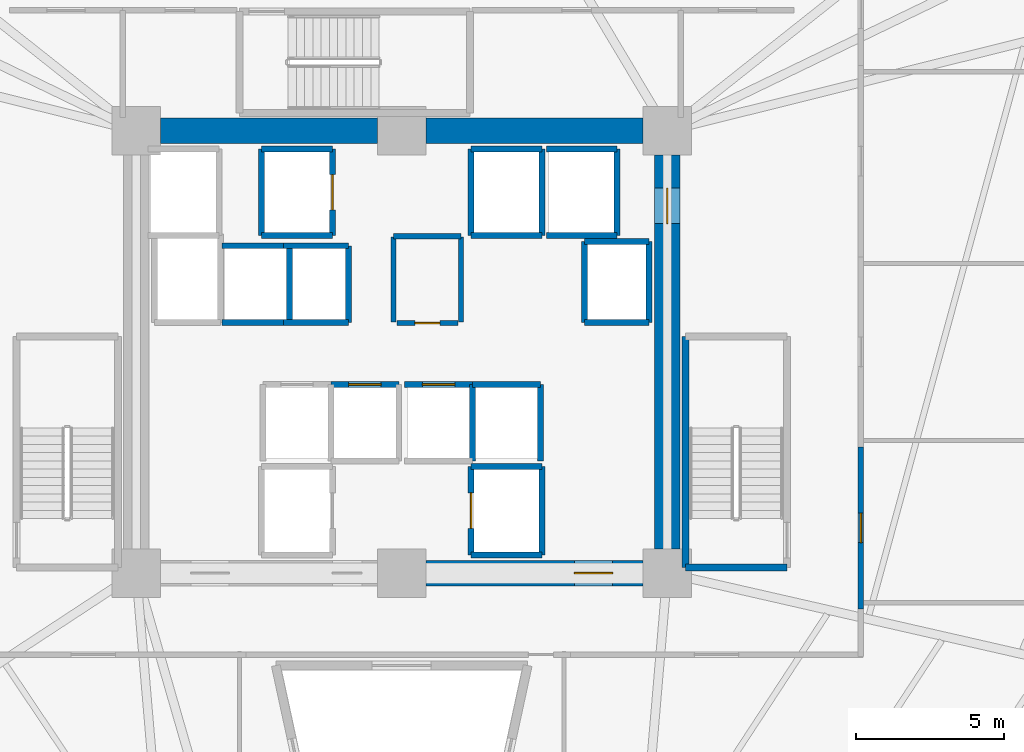
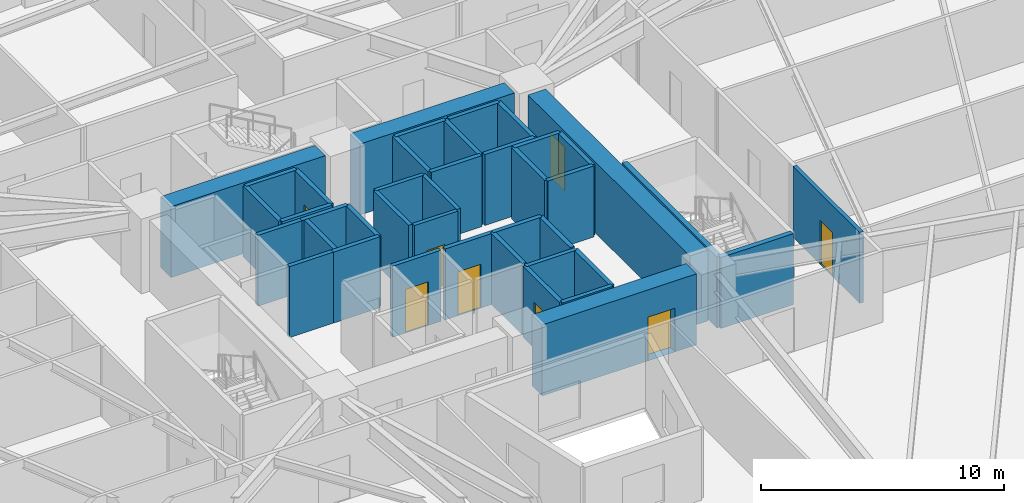
# One storey, part 5 of 8: 41 walls, 8 doors, 8 openings.
"""IFC4 building model written with IfcOpenShell, lengths in metres."""

from ifc_helpers import new_model, si_unit, direction, frame, frame_2d, origin, place, context, subcontext, project, spatial, rectangle, extrude, source, transform, mapped, material, layer, layer_set, type_object, element, fill, save


model = new_model("IFC4")

# Units and contexts
model_context = context("Model", 3, precision=1e-05, world=origin(), true_north=direction((0.0, 1.0)))
body_context = subcontext(model_context, "Body", "Model", "MODEL_VIEW")
ifc_project = project(units=[si_unit("LENGTHUNIT", "METRE"), si_unit("AREAUNIT", "SQUARE_METRE"), si_unit("VOLUMEUNIT", "CUBIC_METRE"), si_unit("PLANEANGLEUNIT", "RADIAN"), si_unit("MASSUNIT", "GRAM", prefix="KILO")], contexts=[model_context])

# Site, building, storey
site_placement = place(None, origin())
site = spatial("IfcSite", under=ifc_project, at=site_placement, CompositionType="ELEMENT")
building_placement = place(site_placement, origin())
building = spatial("IfcBuilding", under=site, at=building_placement, Name="Liaohun Quay Tower", CompositionType="ELEMENT")
storey_placement = place(building_placement, frame((0.0, 0.0, 78.0)))
storey = spatial("IfcBuildingStorey", under=building, at=storey_placement, Name="L20", CompositionType="ELEMENT", Elevation=78.0)

# Walls
ifc_material_1 = material(Name="Concrete C60", Category="concrete")
ifc_layer_1 = layer(ifc_material_1, 0.85009765625, Name="Concrete C60", Category="concrete")
ifc_layer_set_1 = layer_set([ifc_layer_1], Name="Concrete C60")
wall_type_1 = type_object("IfcWallType", Name="WAL-COR-Z1", PredefinedType="SHEAR", material=ifc_layer_set_1)
for number, where, z_axis, x_axis, name in (
    (1, (51.824951171875, 61.5, 0.0), (0.0, 0.0, 1.0), (1.0, 0.0, 0.0), "L20 Central Core Shear Wall N-W"),
    (2, (60.824951171875, 61.5, 0.0), (0.0, 0.0, 1.0), (1.0, 0.0, 0.0), "L20 Central Core Shear Wall N-E"),
):
    element("IfcWall", number, at=place(storey_placement, frame(where, z_axis=z_axis, x_axis=x_axis)), inside=storey, type_object=wall_type_1, Name=name, PredefinedType="SHEAR", context=body_context, shape_type="SweptSolid", body=[
        extrude(rectangle(XDim=7.35009765625, YDim=0.85009765625, at=frame_2d((3.675048828125, 0.0))), origin(), (0.0, 0.0, 1.0), 3.570068359375),
    ])

# Wall, opening, door
wall_1_placement = place(storey_placement, frame((69.0, 60.675048828125, 0.0), z_axis=(0.0, 0.0, 1.0), x_axis=(0.0, -1.0, 0.0)))
wall_1 = element("IfcWall", 3, at=wall_1_placement, inside=storey, type_object=wall_type_1, Name="L20 Central Core Shear Wall E", PredefinedType="SHEAR", context=body_context, shape_type="SweptSolid", body=[
    extrude(rectangle(XDim=13.35009765625, YDim=0.85009765625, at=frame_2d((6.675048828125, 0.0))), origin(), (0.0, 0.0, 1.0), 3.570068359375),
])
shared_shape_1 = source(origin(), body_context, "Body", "SweptSolid", [
    extrude(rectangle(XDim=1.199951171875, YDim=2.199951171875, at=frame_2d((0.60009765625, 1.10009765625))), frame((0.0, 0.43505859375, 0.0), z_axis=(0.0, -1.0, 0.0), x_axis=(1.0, 0.0, 0.0)), (0.0, 0.0, 1.0), 0.8701171875),
])
opening_1_placement = place(wall_1_placement, frame((1.125, 0.0, 0.0)))
opening_1 = element("IfcOpeningElement", 4, at=opening_1_placement, cuts=wall_1, Name="Opening SD1", PredefinedType="OPENING", context=body_context, shape_type="MappedRepresentation", body=[
    mapped(shared_shape_1, transform((0.0, 0.0, 0.0), x_axis=(1.0, 0.0, 0.0), y_axis=(0.0, 1.0, 0.0), z_axis=(0.0, 0.0, 1.0), scale=1.0)),
])
ifc_material_2 = material(Name="Galvanised steel fire door", Category="steel")
door_type_1 = type_object("IfcDoorType", Name="DOR-STR-1200", OperationType="NOTDEFINED", PredefinedType="DOOR", material=ifc_material_2)
shared_shape_2 = source(origin(), body_context, "Body", "SweptSolid", [
    extrude(rectangle(XDim=1.199951171875, YDim=2.199951171875, at=frame_2d((0.60009765625, 1.10009765625))), frame((0.0, 0.02490234375, 0.0), z_axis=(0.0, -1.0, 0.0), x_axis=(1.0, 0.0, 0.0)), (0.0, 0.0, 1.0), 0.050048828125),
])
door_1_placement = place(opening_1_placement, origin())
door_1 = element("IfcDoor", 5, at=door_1_placement, inside=storey, type_object=door_type_1, Name="L20 North-East Core Lobby Smokeproof Door", OperationType="SINGLE_SWING_LEFT", OverallHeight=2.199951171875, OverallWidth=1.199951171875, PredefinedType="DOOR", context=body_context, shape_type="MappedRepresentation", body=[
    mapped(shared_shape_2, transform((0.0, 0.0, 0.0), x_axis=(1.0, 0.0, 0.0), y_axis=(0.0, 1.0, 0.0), z_axis=(0.0, 0.0, 1.0), scale=1.0)),
])
fill(opening_1, door_1)

wall_2_placement = place(storey_placement, frame((68.175048828125, 46.5, 0.0), z_axis=(0.0, 0.0, 1.0), x_axis=(-1.0, 0.0, 0.0)))
wall_2 = element("IfcWall", 6, at=wall_2_placement, inside=storey, type_object=wall_type_1, Name="L20 Central Core Shear Wall S-E", PredefinedType="SHEAR", context=body_context, shape_type="SweptSolid", body=[
    extrude(rectangle(XDim=7.35009765625, YDim=0.85009765625, at=frame_2d((3.675048828125, 0.0))), origin(), (0.0, 0.0, 1.0), 3.570068359375),
])
shared_shape_3 = source(origin(), body_context, "Body", "SweptSolid", [
    extrude(rectangle(XDim=1.300048828125, YDim=2.199951171875, at=frame_2d((0.64990234375, 1.10009765625))), frame((0.0, 0.43505859375, 0.0), z_axis=(0.0, -1.0, 0.0), x_axis=(1.0, 0.0, 0.0)), (0.0, 0.0, 1.0), 0.8701171875),
])
opening_2_placement = place(wall_2_placement, frame((1.02490234375, 0.0, 0.0)))
opening_2 = element("IfcOpeningElement", 7, at=opening_2_placement, cuts=wall_2, Name="Opening FD1", PredefinedType="OPENING", context=body_context, shape_type="MappedRepresentation", body=[
    mapped(shared_shape_3, transform((0.0, 0.0, 0.0), x_axis=(1.0, 0.0, 0.0), y_axis=(0.0, 1.0, 0.0), z_axis=(0.0, 0.0, 1.0), scale=1.0)),
])
ifc_material_3 = material(Name="Galvanised steel smokeproof fire door", Category="steel")
door_type_2 = type_object("IfcDoorType", Name="DOR-FFL-1300", OperationType="NOTDEFINED", PredefinedType="DOOR", material=ifc_material_3)
shared_shape_4 = source(origin(), body_context, "Body", "SweptSolid", [
    extrude(rectangle(XDim=1.300048828125, YDim=2.199951171875, at=frame_2d((0.64990234375, 1.10009765625))), frame((0.0, 0.02490234375, 0.0), z_axis=(0.0, -1.0, 0.0), x_axis=(1.0, 0.0, 0.0)), (0.0, 0.0, 1.0), 0.050048828125),
])
door_2_placement = place(opening_2_placement, origin())
door_2 = element("IfcDoor", 8, at=door_2_placement, inside=storey, type_object=door_type_2, Name="L20 East Core Lift Lobby Smokeproof Door", OperationType="SINGLE_SWING_LEFT", OverallHeight=2.199951171875, OverallWidth=1.300048828125, PredefinedType="DOOR", context=body_context, shape_type="MappedRepresentation", body=[
    mapped(shared_shape_4, transform((0.0, 0.0, 0.0), x_axis=(1.0, 0.0, 0.0), y_axis=(0.0, 1.0, 0.0), z_axis=(0.0, 0.0, 1.0), scale=1.0)),
])
fill(opening_2, door_2)

ifc_material_4 = material(Name="Autoclaved aerated concrete blockwork", Category="masonry")
ifc_layer_2 = layer(ifc_material_4, 0.179931640625, Name="Autoclaved aerated concrete blockwork", Category="masonry")
ifc_layer_set_2 = layer_set([ifc_layer_2], Name="Autoclaved aerated concrete blockwork")
wall_type_2 = type_object("IfcWallType", Name="WAL-PRT-COR", PredefinedType="PARTITIONING", material=ifc_layer_set_2)
wall_3_placement = place(storey_placement, frame((59.840087890625, 54.97998046875, 0.0), z_axis=(0.0, 0.0, 1.0), x_axis=(1.0, 0.0, 0.0)))
wall_3 = element("IfcWall", 9, at=wall_3_placement, inside=storey, type_object=wall_type_2, Name="L20 Interior Partition Wall 001", PredefinedType="PARTITIONING", context=body_context, shape_type="SweptSolid", body=[
    extrude(rectangle(XDim=2.059814453125, YDim=0.179931640625, at=frame_2d((1.02978515625, 0.0))), origin(), (0.0, 0.0, 1.0), 3.570068359375),
])
shared_shape_5 = source(origin(), body_context, "Body", "SweptSolid", [
    extrude(rectangle(XDim=0.85009765625, YDim=2.10009765625, at=frame_2d((0.425048828125, 1.050048828125))), frame((0.0, 0.099853515625, 0.0), z_axis=(0.0, -1.0, 0.0), x_axis=(1.0, 0.0, 0.0)), (0.0, 0.0, 1.0), 0.199951171875),
])
opening_3_placement = place(wall_3_placement, frame((0.60498046875, 0.0, 0.0)))
opening_3 = element("IfcOpeningElement", 10, at=opening_3_placement, cuts=wall_3, Name="Opening AD1", PredefinedType="OPENING", context=body_context, shape_type="MappedRepresentation", body=[
    mapped(shared_shape_5, transform((0.0, 0.0, 0.0), x_axis=(1.0, 0.0, 0.0), y_axis=(0.0, 1.0, 0.0), z_axis=(0.0, 0.0, 1.0), scale=1.0)),
])
ifc_material_5 = material(Name="Steel riser inspection fire door", Category="steel")
door_type_3 = type_object("IfcDoorType", Name="DOR-SHF-850", OperationType="NOTDEFINED", PredefinedType="DOOR", material=ifc_material_5)
shared_shape_6 = source(origin(), body_context, "Body", "SweptSolid", [
    extrude(rectangle(XDim=0.85009765625, YDim=2.10009765625, at=frame_2d((0.425048828125, 1.050048828125))), frame((0.0, 0.02490234375, 0.0), z_axis=(0.0, -1.0, 0.0), x_axis=(1.0, 0.0, 0.0)), (0.0, 0.0, 1.0), 0.050048828125),
])
door_3_placement = place(opening_3_placement, origin())
door_3 = element("IfcDoor", 11, at=door_3_placement, inside=storey, type_object=door_type_3, Name="L20 Core Electrical and Telecom Riser Room Door", OperationType="SINGLE_SWING_LEFT", OverallHeight=2.10009765625, OverallWidth=0.85009765625, PredefinedType="DOOR", context=body_context, shape_type="MappedRepresentation", body=[
    mapped(shared_shape_6, transform((0.0, 0.0, 0.0), x_axis=(1.0, 0.0, 0.0), y_axis=(0.0, 1.0, 0.0), z_axis=(0.0, 0.0, 1.0), scale=1.0)),
])
fill(opening_3, door_3)

wall_4_placement = place(storey_placement, frame((75.56005859375, 50.784912109375, 0.0), z_axis=(0.0, 0.0, 1.0), x_axis=(0.0, -1.0, 0.0)))
wall_4 = element("IfcWall", 12, at=wall_4_placement, inside=storey, type_object=wall_type_2, Name="L20 Interior Partition Wall 022", PredefinedType="PARTITIONING", context=body_context, shape_type="SweptSolid", body=[
    extrude(rectangle(XDim=5.5, YDim=0.179931640625, at=frame_2d((2.75, 0.0))), origin(), (0.0, 0.0, 1.0), 3.570068359375),
])
shared_shape_7 = source(origin(), body_context, "Body", "SweptSolid", [
    extrude(rectangle(XDim=1.0, YDim=2.199951171875, at=frame_2d((0.5, 1.10009765625))), frame((0.0, 0.099853515625, 0.0), z_axis=(0.0, -1.0, 0.0), x_axis=(1.0, 0.0, 0.0)), (0.0, 0.0, 1.0), 0.199951171875),
])
opening_4_placement = place(wall_4_placement, frame((2.25, 0.0, 0.0)))
opening_4 = element("IfcOpeningElement", 13, at=opening_4_placement, cuts=wall_4, Name="Opening OD1", PredefinedType="OPENING", context=body_context, shape_type="MappedRepresentation", body=[
    mapped(shared_shape_7, transform((0.0, 0.0, 0.0), x_axis=(1.0, 0.0, 0.0), y_axis=(0.0, 1.0, 0.0), z_axis=(0.0, 0.0, 1.0), scale=1.0)),
])
ifc_material_6 = material(Name="Solid-core oak veneer timber leaf in steel frame", Category="steel")
door_type_4 = type_object("IfcDoorType", Name="DOR-OFF-1000", OperationType="NOTDEFINED", PredefinedType="DOOR", material=ifc_material_6)
shared_shape_8 = source(origin(), body_context, "Body", "SweptSolid", [
    extrude(rectangle(XDim=1.0, YDim=2.199951171875, at=frame_2d((0.5, 1.10009765625))), frame((0.0, 0.02490234375, 0.0), z_axis=(0.0, -1.0, 0.0), x_axis=(1.0, 0.0, 0.0)), (0.0, 0.0, 1.0), 0.050048828125),
])
door_4_placement = place(opening_4_placement, origin())
door_4 = element("IfcDoor", 14, at=door_4_placement, inside=storey, type_object=door_type_4, Name="L20 Project Operations Office 14 Door", OperationType="SINGLE_SWING_RIGHT", OverallHeight=2.199951171875, OverallWidth=1.0, PredefinedType="DOOR", context=body_context, shape_type="MappedRepresentation", body=[
    mapped(shared_shape_8, transform((0.0, 0.0, 0.0), x_axis=(1.0, 0.0, 0.0), y_axis=(0.0, 1.0, 0.0), z_axis=(0.0, 0.0, 1.0), scale=1.0)),
])
fill(opening_4, door_4)

# Walls
for number, where, z_axis, x_axis, name in (
    (15, (59.719970703125, 55.02001953125, 0.0), (0.0, 0.0, 1.0), (0.0, 1.0, 0.0), "L20 Interior Partition Wall 023"),
    (16, (62.010009765625, 55.02001953125, 0.0), (0.0, 0.0, 1.0), (0.0, 1.0, 0.0), "L20 Interior Partition Wall 024"),
):
    element("IfcWall", number, at=place(storey_placement, frame(where, z_axis=z_axis, x_axis=x_axis)), inside=storey, type_object=wall_type_2, Name=name, PredefinedType="PARTITIONING", context=body_context, shape_type="SweptSolid", body=[
        extrude(rectangle(XDim=2.8798828125, YDim=0.179931640625, at=frame_2d((1.43994140625, 0.0))), origin(), (0.0, 0.0, 1.0), 3.570068359375),
    ])
wall_5_placement = place(storey_placement, frame((59.719970703125, 57.919921875, 0.0), z_axis=(0.0, 0.0, 1.0), x_axis=(1.0, 0.0, 0.0)))
element("IfcWall", 17, at=wall_5_placement, inside=storey, type_object=wall_type_2, Name="L20 Interior Partition Wall 025", PredefinedType="PARTITIONING", context=body_context, shape_type="SweptSolid", body=[
    extrude(rectangle(XDim=2.2900390625, YDim=0.179931640625, at=frame_2d((1.14501953125, 0.0))), origin(), (0.0, 0.0, 1.0), 3.570068359375),
])
ifc_material_7 = material(Name="Concrete C50", Category="concrete")
ifc_layer_3 = layer(ifc_material_7, 0.239990234375, Name="Concrete C50", Category="concrete")
ifc_layer_set_3 = layer_set([ifc_layer_3], Name="Concrete C50")
wall_type_3 = type_object("IfcWallType", Name="WAL-SHF-200", PredefinedType="SOLIDWALL", material=ifc_layer_set_3)
wall_6_placement = place(storey_placement, frame((69.6201171875, 46.699951171875, 0.0), z_axis=(0.0, 0.0, 1.0), x_axis=(1.0, 0.0, 0.0)))
element("IfcWall", 18, at=wall_6_placement, inside=storey, type_object=wall_type_3, Name="L20 Stairwell ST-2 Structural Core Wall S", PredefinedType="SOLIDWALL", context=body_context, shape_type="SweptSolid", body=[
    extrude(rectangle(XDim=3.43994140625, YDim=0.239990234375, at=frame_2d((1.719970703125, 0.0))), origin(), (0.0, 0.0, 1.0), 3.570068359375),
])
wall_7_placement = place(storey_placement, frame((69.6201171875, 54.52001953125, 0.0), z_axis=(0.0, 0.0, 1.0), x_axis=(0.0, -1.0, 0.0)))
element("IfcWall", 19, at=wall_7_placement, inside=storey, type_object=wall_type_3, Name="L20 Stairwell ST-2 Structural Core Wall W", PredefinedType="SOLIDWALL", context=body_context, shape_type="SweptSolid", body=[
    extrude(rectangle(XDim=7.820068359375, YDim=0.239990234375, at=frame_2d((3.91015625, 0.0))), origin(), (0.0, 0.0, 1.0), 3.570068359375),
])
wall_8_placement = place(storey_placement, frame((62.35009765625, 47.1201171875, 0.0), z_axis=(0.0, 0.0, 1.0), x_axis=(1.0, 0.0, 0.0)))
element("IfcWall", 20, at=wall_8_placement, inside=storey, type_object=wall_type_3, Name="L20 Lift FF-02 Hoistway Wall S", PredefinedType="SOLIDWALL", context=body_context, shape_type="SweptSolid", body=[
    extrude(rectangle(XDim=2.39990234375, YDim=0.199951171875, at=frame_2d((1.199951171875, 0.0))), origin(), (0.0, 0.0, 1.0), 3.570068359375),
])
wall_9_placement = place(storey_placement, frame((64.75, 47.1201171875, 0.0), z_axis=(0.0, 0.0, 1.0), x_axis=(0.0, 1.0, 0.0)))
element("IfcWall", 21, at=wall_9_placement, inside=storey, type_object=wall_type_3, Name="L20 Lift FF-02 Hoistway Wall E", PredefinedType="SOLIDWALL", context=body_context, shape_type="SweptSolid", body=[
    extrude(rectangle(XDim=3.0, YDim=0.199951171875, at=frame_2d((1.5, 0.0))), origin(), (0.0, 0.0, 1.0), 3.570068359375),
])
wall_10_placement = place(storey_placement, frame((64.75, 50.1201171875, 0.0), z_axis=(0.0, 0.0, 1.0), x_axis=(-1.0, 0.0, 0.0)))
element("IfcWall", 22, at=wall_10_placement, inside=storey, type_object=wall_type_3, Name="L20 Lift FF-02 Hoistway Wall N", PredefinedType="SOLIDWALL", context=body_context, shape_type="SweptSolid", body=[
    extrude(rectangle(XDim=2.39990234375, YDim=0.199951171875, at=frame_2d((1.199951171875, 0.0))), origin(), (0.0, 0.0, 1.0), 3.570068359375),
])

# Wall, opening, door
wall_11_placement = place(storey_placement, frame((62.35009765625, 50.1201171875, 0.0), z_axis=(0.0, 0.0, 1.0), x_axis=(0.0, -1.0, 0.0)))
wall_11 = element("IfcWall", 23, at=wall_11_placement, inside=storey, type_object=wall_type_3, Name="L20 Lift FF-02 Hoistway Wall W", PredefinedType="SOLIDWALL", context=body_context, shape_type="SweptSolid", body=[
    extrude(rectangle(XDim=3.0, YDim=0.199951171875, at=frame_2d((1.5, 0.0))), origin(), (0.0, 0.0, 1.0), 3.570068359375),
])
shared_shape_9 = source(origin(), body_context, "Body", "SweptSolid", [
    extrude(rectangle(XDim=1.199951171875, YDim=2.300048828125, at=frame_2d((0.60009765625, 1.14990234375))), frame((0.0, 0.10986328125, 0.0), z_axis=(0.0, -1.0, 0.0), x_axis=(1.0, 0.0, 0.0)), (0.0, 0.0, 1.0), 0.219970703125),
])
opening_5_placement = place(wall_11_placement, frame((0.89990234375, 0.0, 0.0)))
opening_5 = element("IfcOpeningElement", 24, at=opening_5_placement, cuts=wall_11, Name="Opening LD2", PredefinedType="OPENING", context=body_context, shape_type="MappedRepresentation", body=[
    mapped(shared_shape_9, transform((0.0, 0.0, 0.0), x_axis=(1.0, 0.0, 0.0), y_axis=(0.0, 1.0, 0.0), z_axis=(0.0, 0.0, 1.0), scale=1.0)),
])
ifc_material_8 = material(Name="Brushed stainless steel stretcher landing door", Category="steel")
door_type_5 = type_object("IfcDoorType", Name="DOR-LFT-1200", OperationType="SLIDING_TO_LEFT", PredefinedType="DOOR", material=ifc_material_8)
shared_shape_10 = source(origin(), body_context, "Body", "SweptSolid", [
    extrude(rectangle(XDim=1.199951171875, YDim=2.300048828125, at=frame_2d((0.60009765625, 1.14990234375))), frame((0.0, 0.02490234375, 0.0), z_axis=(0.0, -1.0, 0.0), x_axis=(1.0, 0.0, 0.0)), (0.0, 0.0, 1.0), 0.050048828125),
])
door_5_placement = place(opening_5_placement, origin())
door_5 = element("IfcDoor", 25, at=door_5_placement, inside=storey, type_object=door_type_5, Name="L20 Lift FF-02 Sliding Landing Door", OperationType="SLIDING_TO_LEFT", OverallHeight=2.300048828125, OverallWidth=1.199951171875, PredefinedType="DOOR", context=body_context, shape_type="MappedRepresentation", body=[
    mapped(shared_shape_10, transform((0.0, 0.0, 0.0), x_axis=(1.0, 0.0, 0.0), y_axis=(0.0, 1.0, 0.0), z_axis=(0.0, 0.0, 1.0), scale=1.0)),
])
fill(opening_5, door_5)

# Wall
wall_12_placement = place(storey_placement, frame((55.25, 57.949951171875, 0.0), z_axis=(0.0, 0.0, 1.0), x_axis=(1.0, 0.0, 0.0)))
element("IfcWall", 26, at=wall_12_placement, inside=storey, type_object=wall_type_3, Name="L20 Lift FF-03 Hoistway Wall S", PredefinedType="SOLIDWALL", context=body_context, shape_type="SweptSolid", body=[
    extrude(rectangle(XDim=2.39990234375, YDim=0.199951171875, at=frame_2d((1.199951171875, 0.0))), origin(), (0.0, 0.0, 1.0), 3.570068359375),
])

# Wall, opening, door
wall_13_placement = place(storey_placement, frame((57.64990234375, 57.949951171875, 0.0), z_axis=(0.0, 0.0, 1.0), x_axis=(0.0, 1.0, 0.0)))
wall_13 = element("IfcWall", 27, at=wall_13_placement, inside=storey, type_object=wall_type_3, Name="L20 Lift FF-03 Hoistway Wall E", PredefinedType="SOLIDWALL", context=body_context, shape_type="SweptSolid", body=[
    extrude(rectangle(XDim=2.929931640625, YDim=0.199951171875, at=frame_2d((1.46484375, 0.0))), origin(), (0.0, 0.0, 1.0), 3.570068359375),
])
opening_6_placement = place(wall_13_placement, frame((0.864990234375, 0.0, 0.0)))
opening_6 = element("IfcOpeningElement", 28, at=opening_6_placement, cuts=wall_13, Name="Opening LD2", PredefinedType="OPENING", context=body_context, shape_type="MappedRepresentation", body=[
    mapped(shared_shape_9, transform((0.0, 0.0, 0.0), x_axis=(1.0, 0.0, 0.0), y_axis=(0.0, 1.0, 0.0), z_axis=(0.0, 0.0, 1.0), scale=1.0)),
])
door_6_placement = place(opening_6_placement, origin())
door_6 = element("IfcDoor", 29, at=door_6_placement, inside=storey, type_object=door_type_5, Name="L20 Lift FF-03 Sliding Landing Door", OperationType="SLIDING_TO_LEFT", OverallHeight=2.300048828125, OverallWidth=1.199951171875, PredefinedType="DOOR", context=body_context, shape_type="MappedRepresentation", body=[
    mapped(shared_shape_10, transform((0.0, 0.0, 0.0), x_axis=(1.0, 0.0, 0.0), y_axis=(0.0, 1.0, 0.0), z_axis=(0.0, 0.0, 1.0), scale=1.0)),
])
fill(opening_6, door_6)

# Walls
wall_14_placement = place(storey_placement, frame((57.64990234375, 60.8798828125, 0.0), z_axis=(0.0, 0.0, 1.0), x_axis=(-1.0, 0.0, 0.0)))
element("IfcWall", 30, at=wall_14_placement, inside=storey, type_object=wall_type_3, Name="L20 Lift FF-03 Hoistway Wall N", PredefinedType="SOLIDWALL", context=body_context, shape_type="SweptSolid", body=[
    extrude(rectangle(XDim=2.39990234375, YDim=0.199951171875, at=frame_2d((1.199951171875, 0.0))), origin(), (0.0, 0.0, 1.0), 3.570068359375),
])
wall_15_placement = place(storey_placement, frame((55.25, 60.8798828125, 0.0), z_axis=(0.0, 0.0, 1.0), x_axis=(0.0, -1.0, 0.0)))
element("IfcWall", 31, at=wall_15_placement, inside=storey, type_object=wall_type_3, Name="L20 Lift FF-03 Hoistway Wall W", PredefinedType="SOLIDWALL", context=body_context, shape_type="SweptSolid", body=[
    extrude(rectangle(XDim=2.929931640625, YDim=0.199951171875, at=frame_2d((1.46484375, 0.0))), origin(), (0.0, 0.0, 1.0), 3.570068359375),
])
wall_16_placement = place(storey_placement, frame((62.35009765625, 57.949951171875, 0.0), z_axis=(0.0, 0.0, 1.0), x_axis=(1.0, 0.0, 0.0)))
element("IfcWall", 32, at=wall_16_placement, inside=storey, type_object=wall_type_3, Name="L20 Lift OB-01 Hoistway Wall S", PredefinedType="SOLIDWALL", context=body_context, shape_type="SweptSolid", body=[
    extrude(rectangle(XDim=2.39990234375, YDim=0.199951171875, at=frame_2d((1.199951171875, 0.0))), origin(), (0.0, 0.0, 1.0), 3.570068359375),
])
wall_17_placement = place(storey_placement, frame((64.75, 57.949951171875, 0.0), z_axis=(0.0, 0.0, 1.0), x_axis=(0.0, 1.0, 0.0)))
element("IfcWall", 33, at=wall_17_placement, inside=storey, type_object=wall_type_3, Name="L20 Lift OB-01 Hoistway Wall E", PredefinedType="SOLIDWALL", context=body_context, shape_type="SweptSolid", body=[
    extrude(rectangle(XDim=2.929931640625, YDim=0.199951171875, at=frame_2d((1.46484375, 0.0))), origin(), (0.0, 0.0, 1.0), 3.570068359375),
])
wall_18_placement = place(storey_placement, frame((64.75, 60.8798828125, 0.0), z_axis=(0.0, 0.0, 1.0), x_axis=(-1.0, 0.0, 0.0)))
element("IfcWall", 34, at=wall_18_placement, inside=storey, type_object=wall_type_3, Name="L20 Lift OB-01 Hoistway Wall N", PredefinedType="SOLIDWALL", context=body_context, shape_type="SweptSolid", body=[
    extrude(rectangle(XDim=2.39990234375, YDim=0.199951171875, at=frame_2d((1.199951171875, 0.0))), origin(), (0.0, 0.0, 1.0), 3.570068359375),
])
wall_19_placement = place(storey_placement, frame((62.35009765625, 60.8798828125, 0.0), z_axis=(0.0, 0.0, 1.0), x_axis=(0.0, -1.0, 0.0)))
element("IfcWall", 35, at=wall_19_placement, inside=storey, type_object=wall_type_3, Name="L20 Lift OB-01 Hoistway Wall W", PredefinedType="SOLIDWALL", context=body_context, shape_type="SweptSolid", body=[
    extrude(rectangle(XDim=2.929931640625, YDim=0.199951171875, at=frame_2d((1.46484375, 0.0))), origin(), (0.0, 0.0, 1.0), 3.570068359375),
])
wall_20_placement = place(storey_placement, frame((64.89990234375, 57.949951171875, 0.0), z_axis=(0.0, 0.0, 1.0), x_axis=(1.0, 0.0, 0.0)))
element("IfcWall", 36, at=wall_20_placement, inside=storey, type_object=wall_type_3, Name="L20 Lift OB-02 Hoistway Wall S", PredefinedType="SOLIDWALL", context=body_context, shape_type="SweptSolid", body=[
    extrude(rectangle(XDim=2.400146484375, YDim=0.199951171875, at=frame_2d((1.2001953125, 0.0))), origin(), (0.0, 0.0, 1.0), 3.570068359375),
])
wall_21_placement = place(storey_placement, frame((67.300048828125, 57.949951171875, 0.0), z_axis=(0.0, 0.0, 1.0), x_axis=(0.0, 1.0, 0.0)))
element("IfcWall", 37, at=wall_21_placement, inside=storey, type_object=wall_type_3, Name="L20 Lift OB-02 Hoistway Wall E", PredefinedType="SOLIDWALL", context=body_context, shape_type="SweptSolid", body=[
    extrude(rectangle(XDim=2.929931640625, YDim=0.199951171875, at=frame_2d((1.46484375, 0.0))), origin(), (0.0, 0.0, 1.0), 3.570068359375),
])
wall_22_placement = place(storey_placement, frame((67.300048828125, 60.8798828125, 0.0), z_axis=(0.0, 0.0, 1.0), x_axis=(-1.0, 0.0, 0.0)))
element("IfcWall", 38, at=wall_22_placement, inside=storey, type_object=wall_type_3, Name="L20 Lift OB-02 Hoistway Wall N", PredefinedType="SOLIDWALL", context=body_context, shape_type="SweptSolid", body=[
    extrude(rectangle(XDim=2.400146484375, YDim=0.199951171875, at=frame_2d((1.2001953125, 0.0))), origin(), (0.0, 0.0, 1.0), 3.570068359375),
])
wall_23_placement = place(storey_placement, frame((66.199951171875, 55.0, 0.0), z_axis=(0.0, 0.0, 1.0), x_axis=(1.0, 0.0, 0.0)))
element("IfcWall", 39, at=wall_23_placement, inside=storey, type_object=wall_type_3, Name="L20 Lift SH-03 Hoistway Wall S", PredefinedType="SOLIDWALL", context=body_context, shape_type="SweptSolid", body=[
    extrude(rectangle(XDim=2.179931640625, YDim=0.199951171875, at=frame_2d((1.08984375, 0.0))), origin(), (0.0, 0.0, 1.0), 3.570068359375),
])
wall_24_placement = place(storey_placement, frame((68.3798828125, 55.0, 0.0), z_axis=(0.0, 0.0, 1.0), x_axis=(0.0, 1.0, 0.0)))
element("IfcWall", 40, at=wall_24_placement, inside=storey, type_object=wall_type_3, Name="L20 Lift SH-03 Hoistway Wall E", PredefinedType="SOLIDWALL", context=body_context, shape_type="SweptSolid", body=[
    extrude(rectangle(XDim=2.75, YDim=0.199951171875, at=frame_2d((1.375, 0.0))), origin(), (0.0, 0.0, 1.0), 3.570068359375),
])
wall_25_placement = place(storey_placement, frame((68.3798828125, 57.75, 0.0), z_axis=(0.0, 0.0, 1.0), x_axis=(-1.0, 0.0, 0.0)))
element("IfcWall", 41, at=wall_25_placement, inside=storey, type_object=wall_type_3, Name="L20 Lift SH-03 Hoistway Wall N", PredefinedType="SOLIDWALL", context=body_context, shape_type="SweptSolid", body=[
    extrude(rectangle(XDim=2.179931640625, YDim=0.199951171875, at=frame_2d((1.08984375, 0.0))), origin(), (0.0, 0.0, 1.0), 3.570068359375),
])
wall_26_placement = place(storey_placement, frame((66.199951171875, 57.75, 0.0), z_axis=(0.0, 0.0, 1.0), x_axis=(0.0, -1.0, 0.0)))
element("IfcWall", 42, at=wall_26_placement, inside=storey, type_object=wall_type_3, Name="L20 Lift SH-03 Hoistway Wall W", PredefinedType="SOLIDWALL", context=body_context, shape_type="SweptSolid", body=[
    extrude(rectangle(XDim=2.75, YDim=0.199951171875, at=frame_2d((1.375, 0.0))), origin(), (0.0, 0.0, 1.0), 3.570068359375),
])

# Wall, opening, door
wall_27_placement = place(storey_placement, frame((59.89990234375, 52.89990234375, 0.0), z_axis=(0.0, 0.0, 1.0), x_axis=(-1.0, 0.0, 0.0)))
wall_27 = element("IfcWall", 43, at=wall_27_placement, inside=storey, type_object=wall_type_3, Name="L20 Lift PL-1B Hoistway Wall N", PredefinedType="SOLIDWALL", context=body_context, shape_type="SweptSolid", body=[
    extrude(rectangle(XDim=2.2998046875, YDim=0.199951171875, at=frame_2d((1.14990234375, 0.0))), origin(), (0.0, 0.0, 1.0), 3.570068359375),
])
shared_shape_11 = source(origin(), body_context, "Body", "SweptSolid", [
    extrude(rectangle(XDim=1.10009765625, YDim=2.199951171875, at=frame_2d((0.550048828125, 1.10009765625))), frame((0.0, 0.10986328125, 0.0), z_axis=(0.0, -1.0, 0.0), x_axis=(1.0, 0.0, 0.0)), (0.0, 0.0, 1.0), 0.219970703125),
])
opening_7_placement = place(wall_27_placement, frame((0.60009765625, 0.0, 0.0)))
opening_7 = element("IfcOpeningElement", 44, at=opening_7_placement, cuts=wall_27, Name="Opening LD1", PredefinedType="OPENING", context=body_context, shape_type="MappedRepresentation", body=[
    mapped(shared_shape_11, transform((0.0, 0.0, 0.0), x_axis=(1.0, 0.0, 0.0), y_axis=(0.0, 1.0, 0.0), z_axis=(0.0, 0.0, 1.0), scale=1.0)),
])
ifc_material_9 = material(Name="Brushed stainless steel landing door", Category="steel")
door_type_6 = type_object("IfcDoorType", Name="DOR-LFT-1100", OperationType="SLIDING_TO_LEFT", PredefinedType="DOOR", material=ifc_material_9)
shared_shape_12 = source(origin(), body_context, "Body", "SweptSolid", [
    extrude(rectangle(XDim=1.10009765625, YDim=2.199951171875, at=frame_2d((0.550048828125, 1.10009765625))), frame((0.0, 0.02490234375, 0.0), z_axis=(0.0, -1.0, 0.0), x_axis=(1.0, 0.0, 0.0)), (0.0, 0.0, 1.0), 0.050048828125),
])
door_7_placement = place(opening_7_placement, origin())
door_7 = element("IfcDoor", 45, at=door_7_placement, inside=storey, type_object=door_type_6, Name="L20 Lift PL-1B Sliding Landing Door", OperationType="SLIDING_TO_LEFT", OverallHeight=2.199951171875, OverallWidth=1.10009765625, PredefinedType="DOOR", context=body_context, shape_type="MappedRepresentation", body=[
    mapped(shared_shape_12, transform((0.0, 0.0, 0.0), x_axis=(1.0, 0.0, 0.0), y_axis=(0.0, 1.0, 0.0), z_axis=(0.0, 0.0, 1.0), scale=1.0)),
])
fill(opening_7, door_7)

# Wall
wall_28_placement = place(storey_placement, frame((62.39990234375, 50.300048828125, 0.0), z_axis=(0.0, 0.0, 1.0), x_axis=(0.0, 1.0, 0.0)))
element("IfcWall", 46, at=wall_28_placement, inside=storey, type_object=wall_type_3, Name="L20 Lift PL-1C Hoistway Wall E", PredefinedType="SOLIDWALL", context=body_context, shape_type="SweptSolid", body=[
    extrude(rectangle(XDim=2.599853515625, YDim=0.199951171875, at=frame_2d((1.2998046875, 0.0))), origin(), (0.0, 0.0, 1.0), 3.570068359375),
])

# Wall, opening, door
wall_29_placement = place(storey_placement, frame((62.39990234375, 52.89990234375, 0.0), z_axis=(0.0, 0.0, 1.0), x_axis=(-1.0, 0.0, 0.0)))
wall_29 = element("IfcWall", 47, at=wall_29_placement, inside=storey, type_object=wall_type_3, Name="L20 Lift PL-1C Hoistway Wall N", PredefinedType="SOLIDWALL", context=body_context, shape_type="SweptSolid", body=[
    extrude(rectangle(XDim=2.2998046875, YDim=0.199951171875, at=frame_2d((1.14990234375, 0.0))), origin(), (0.0, 0.0, 1.0), 3.570068359375),
])
opening_8_placement = place(wall_29_placement, frame((0.60009765625, 0.0, 0.0)))
opening_8 = element("IfcOpeningElement", 48, at=opening_8_placement, cuts=wall_29, Name="Opening LD1", PredefinedType="OPENING", context=body_context, shape_type="MappedRepresentation", body=[
    mapped(shared_shape_11, transform((0.0, 0.0, 0.0), x_axis=(1.0, 0.0, 0.0), y_axis=(0.0, 1.0, 0.0), z_axis=(0.0, 0.0, 1.0), scale=1.0)),
])
door_8_placement = place(opening_8_placement, origin())
door_8 = element("IfcDoor", 49, at=door_8_placement, inside=storey, type_object=door_type_6, Name="L20 Lift PL-1C Sliding Landing Door", OperationType="SLIDING_TO_LEFT", OverallHeight=2.199951171875, OverallWidth=1.10009765625, PredefinedType="DOOR", context=body_context, shape_type="MappedRepresentation", body=[
    mapped(shared_shape_12, transform((0.0, 0.0, 0.0), x_axis=(1.0, 0.0, 0.0), y_axis=(0.0, 1.0, 0.0), z_axis=(0.0, 0.0, 1.0), scale=1.0)),
])
fill(opening_8, door_8)

# Walls
wall_30_placement = place(storey_placement, frame((64.699951171875, 50.300048828125, 0.0), z_axis=(0.0, 0.0, 1.0), x_axis=(0.0, 1.0, 0.0)))
element("IfcWall", 50, at=wall_30_placement, inside=storey, type_object=wall_type_3, Name="L20 Lift PL-2A Hoistway Wall E", PredefinedType="SOLIDWALL", context=body_context, shape_type="SweptSolid", body=[
    extrude(rectangle(XDim=2.599853515625, YDim=0.199951171875, at=frame_2d((1.2998046875, 0.0))), origin(), (0.0, 0.0, 1.0), 3.570068359375),
])
for number, where, z_axis, x_axis, name in (
    (51, (64.699951171875, 52.89990234375, 0.0), (0.0, 0.0, 1.0), (-1.0, 0.0, 0.0), "L20 Lift PL-2A Hoistway Wall N"),
    (52, (53.89990234375, 55.0, 0.0), (0.0, 0.0, 1.0), (1.0, 0.0, 0.0), "L20 Lift PL-2B Hoistway Wall S"),
):
    element("IfcWall", number, at=place(storey_placement, frame(where, z_axis=z_axis, x_axis=x_axis)), inside=storey, type_object=wall_type_3, Name=name, PredefinedType="SOLIDWALL", context=body_context, shape_type="SweptSolid", body=[
        extrude(rectangle(XDim=2.300048828125, YDim=0.199951171875, at=frame_2d((1.14990234375, 0.0))), origin(), (0.0, 0.0, 1.0), 3.570068359375),
    ])
wall_31_placement = place(storey_placement, frame((56.199951171875, 55.0, 0.0), z_axis=(0.0, 0.0, 1.0), x_axis=(0.0, 1.0, 0.0)))
element("IfcWall", 53, at=wall_31_placement, inside=storey, type_object=wall_type_3, Name="L20 Lift PL-2B Hoistway Wall E", PredefinedType="SOLIDWALL", context=body_context, shape_type="SweptSolid", body=[
    extrude(rectangle(XDim=2.60009765625, YDim=0.199951171875, at=frame_2d((1.300048828125, 0.0))), origin(), (0.0, 0.0, 1.0), 3.570068359375),
])
wall_32_placement = place(storey_placement, frame((56.199951171875, 57.60009765625, 0.0), z_axis=(0.0, 0.0, 1.0), x_axis=(-1.0, 0.0, 0.0)))
element("IfcWall", 54, at=wall_32_placement, inside=storey, type_object=wall_type_3, Name="L20 Lift PL-2B Hoistway Wall N", PredefinedType="SOLIDWALL", context=body_context, shape_type="SweptSolid", body=[
    extrude(rectangle(XDim=2.300048828125, YDim=0.199951171875, at=frame_2d((1.14990234375, 0.0))), origin(), (0.0, 0.0, 1.0), 3.570068359375),
])
wall_33_placement = place(storey_placement, frame((56.0, 55.0, 0.0), z_axis=(0.0, 0.0, 1.0), x_axis=(1.0, 0.0, 0.0)))
element("IfcWall", 55, at=wall_33_placement, inside=storey, type_object=wall_type_3, Name="L20 Lift PL-2C Hoistway Wall S", PredefinedType="SOLIDWALL", context=body_context, shape_type="SweptSolid", body=[
    extrude(rectangle(XDim=2.199951171875, YDim=0.199951171875, at=frame_2d((1.10009765625, 0.0))), origin(), (0.0, 0.0, 1.0), 3.570068359375),
])
wall_34_placement = place(storey_placement, frame((58.199951171875, 55.0, 0.0), z_axis=(0.0, 0.0, 1.0), x_axis=(0.0, 1.0, 0.0)))
element("IfcWall", 56, at=wall_34_placement, inside=storey, type_object=wall_type_3, Name="L20 Lift PL-2C Hoistway Wall E", PredefinedType="SOLIDWALL", context=body_context, shape_type="SweptSolid", body=[
    extrude(rectangle(XDim=2.60009765625, YDim=0.199951171875, at=frame_2d((1.300048828125, 0.0))), origin(), (0.0, 0.0, 1.0), 3.570068359375),
])
wall_35_placement = place(storey_placement, frame((58.199951171875, 57.60009765625, 0.0), z_axis=(0.0, 0.0, 1.0), x_axis=(-1.0, 0.0, 0.0)))
element("IfcWall", 57, at=wall_35_placement, inside=storey, type_object=wall_type_3, Name="L20 Lift PL-2C Hoistway Wall N", PredefinedType="SOLIDWALL", context=body_context, shape_type="SweptSolid", body=[
    extrude(rectangle(XDim=2.199951171875, YDim=0.199951171875, at=frame_2d((1.10009765625, 0.0))), origin(), (0.0, 0.0, 1.0), 3.570068359375),
])

save(model, "model.ifc")
